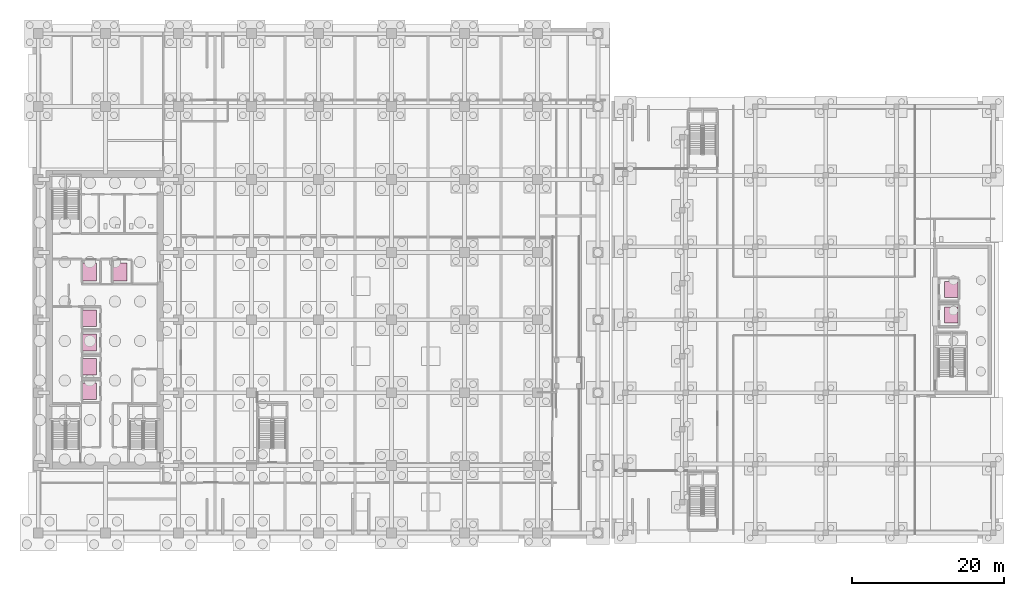
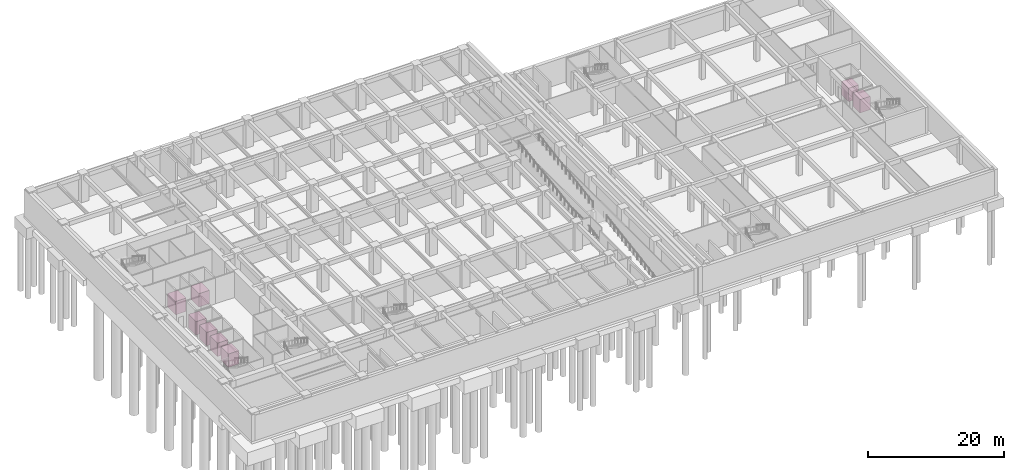
# One storey, part 20 of 20: 8 transport elements.
"""IFC4 building model written with IfcOpenShell, lengths in metres."""

from ifc_helpers import new_model, si_unit, direction, frame, origin, origin_2d, place, context, subcontext, project, spatial, rectangle, extrude, material, type_object, element, save


model = new_model("IFC4")

# Units and contexts
model_context = context("Model", 3, precision=1e-05, world=origin(), true_north=direction((0.0, 1.0)))
body_context = subcontext(model_context, "Body", "Model", "MODEL_VIEW")
ifc_project = project(units=[si_unit("LENGTHUNIT", "METRE"), si_unit("AREAUNIT", "SQUARE_METRE"), si_unit("VOLUMEUNIT", "CUBIC_METRE"), si_unit("PLANEANGLEUNIT", "RADIAN"), si_unit("MASSUNIT", "GRAM", prefix="KILO")], contexts=[model_context])

# Site, building, storey
site_placement = place(None, origin())
site = spatial("IfcSite", under=ifc_project, at=site_placement, CompositionType="ELEMENT")
building_placement = place(site_placement, origin())
building = spatial("IfcBuilding", under=site, at=building_placement, Name="Norrvale University Quadrangle", CompositionType="ELEMENT")
storey_placement = place(building_placement, frame((0.0, 0.0, -5.0)))
storey = spatial("IfcBuildingStorey", under=building, at=storey_placement, Name="B01", CompositionType="ELEMENT", Elevation=-5.0)

# Transport elements
ifc_material_1 = material(Name="Brushed Oak and Stainless Steel 316L Cab", Category="steel")
transport_element_type_1 = type_object("IfcTransportElementType", Name="Lift Library 1600", PredefinedType="ELEVATOR", material=ifc_material_1)
for number, where, z_axis, x_axis, name in (
    (1, (120.925048828125, 29.39990234375, 0.0), (0.0, 0.0, 1.0), (1.0, 0.0, 0.0), "Elevator Car LL-01"),
    (2, (120.925048828125, 32.800048828125, 0.0), (0.0, 0.0, 1.0), (1.0, 0.0, 0.0), "Elevator Car LL-02"),
):
    element("IfcTransportElement", number, at=place(storey_placement, frame(where, z_axis=z_axis, x_axis=x_axis)), inside=storey, type_object=transport_element_type_1, Name=name, PredefinedType="ELEVATOR", context=body_context, shape_type="SweptSolid", body=[
        extrude(rectangle(XDim=1.75, YDim=2.10009765625, at=origin_2d()), origin(), (0.0, 0.0, 1.0), 2.39990234375),
    ])
ifc_material_2 = material(Name="Stainless Steel 316L Firefighter Cab", Category="steel")
transport_element_type_2 = type_object("IfcTransportElementType", Name="Lift Tower Fire 2000", PredefinedType="ELEVATOR", material=ifc_material_2)
for number, where, z_axis, x_axis, name in (
    (3, (7.5, 35.10009765625, 0.0), (0.0, 0.0, 1.0), (1.0, 0.0, 0.0), "Elevator Car FFL-01"),
    (4, (11.5, 35.10009765625, 0.0), (0.0, 0.0, 1.0), (1.0, 0.0, 0.0), "Elevator Car FFL-02"),
):
    element("IfcTransportElement", number, at=place(storey_placement, frame(where, z_axis=z_axis, x_axis=x_axis)), inside=storey, type_object=transport_element_type_2, Name=name, PredefinedType="ELEVATOR", context=body_context, shape_type="SweptSolid", body=[
        extrude(rectangle(XDim=1.800048828125, YDim=2.39990234375, at=origin_2d()), origin(), (0.0, 0.0, 1.0), 2.39990234375),
    ])
ifc_material_3 = material(Name="Stainless Steel 316L Elevator Cab", Category="steel")
transport_element_type_3 = type_object("IfcTransportElementType", Name="Lift Tower Passenger 1800", PredefinedType="ELEVATOR", material=ifc_material_3)
for number, where, z_axis, x_axis, name in (
    (5, (7.5, 19.39990234375, 0.0), (0.0, 0.0, 1.0), (1.0, 0.0, 0.0), "Elevator Car PL-01"),
    (6, (7.5, 22.60009765625, 0.0), (0.0, 0.0, 1.0), (1.0, 0.0, 0.0), "Elevator Car PL-02"),
    (7, (7.5, 25.800048828125, 0.0), (0.0, 0.0, 1.0), (1.0, 0.0, 0.0), "Elevator Car PL-03"),
    (8, (7.5, 29.0, 0.0), (0.0, 0.0, 1.0), (1.0, 0.0, 0.0), "Elevator Car PL-04"),
):
    element("IfcTransportElement", number, at=place(storey_placement, frame(where, z_axis=z_axis, x_axis=x_axis)), inside=storey, type_object=transport_element_type_3, Name=name, PredefinedType="ELEVATOR", context=body_context, shape_type="SweptSolid", body=[
        extrude(rectangle(XDim=1.800048828125, YDim=2.199951171875, at=origin_2d()), origin(), (0.0, 0.0, 1.0), 2.39990234375),
    ])

save(model, "model.ifc")
